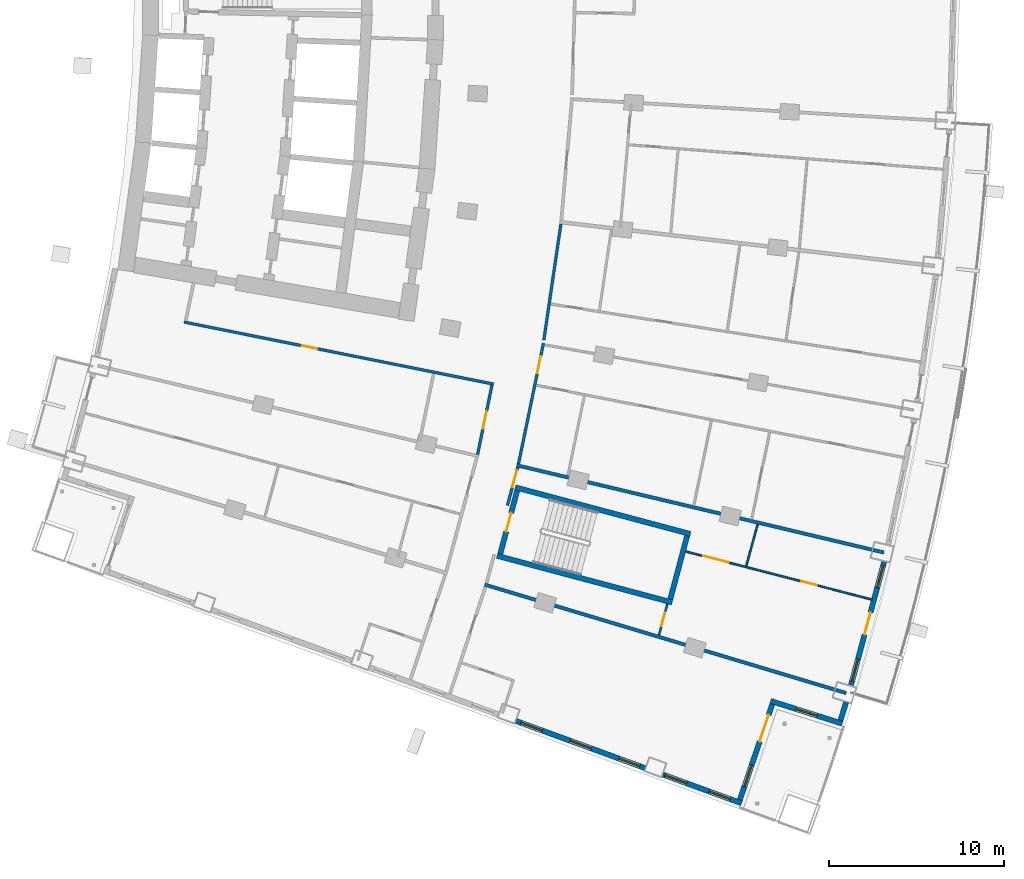
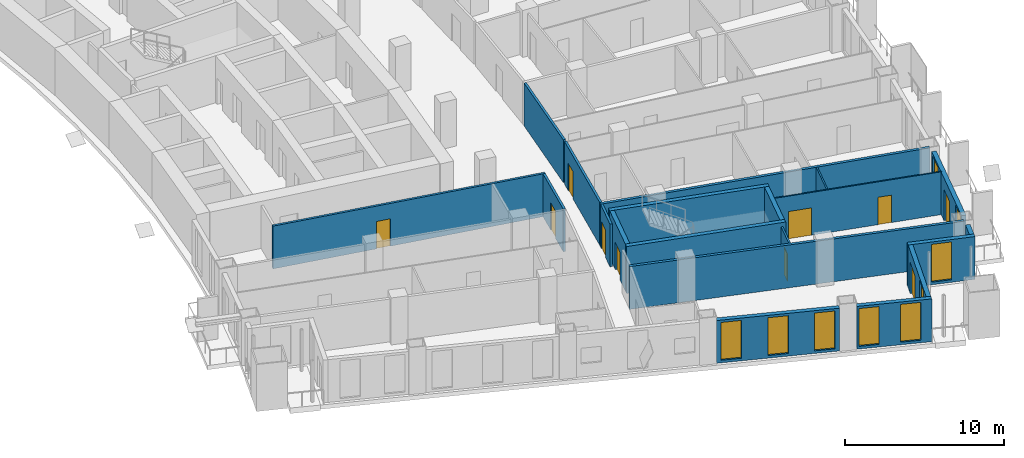
# One storey, part 14 of 25: 20 walls, 10 doors, 9 windows, 19 openings.
"""IFC4 building model written with IfcOpenShell, lengths in metres."""

from ifc_helpers import new_model, si_unit, direction, frame, frame_2d, origin, place, context, subcontext, project, spatial, rectangle, extrude, material, layer, layer_set, type_object, element, fill, save


model = new_model("IFC4")

# Units and contexts
model_context = context("Model", 3, precision=1e-05, world=origin(), true_north=direction((0.0, 1.0)))
body_context = subcontext(model_context, "Body", "Model", "MODEL_VIEW")
ifc_project = project(units=[si_unit("LENGTHUNIT", "METRE"), si_unit("AREAUNIT", "SQUARE_METRE"), si_unit("VOLUMEUNIT", "CUBIC_METRE"), si_unit("PLANEANGLEUNIT", "RADIAN"), si_unit("MASSUNIT", "GRAM", prefix="KILO")], contexts=[model_context])

# Site, building, storey
site_placement = place(None, origin())
site = spatial("IfcSite", under=ifc_project, at=site_placement, CompositionType="ELEMENT")
building_placement = place(site_placement, origin())
building = spatial("IfcBuilding", under=site, at=building_placement, Name="Alderwake Tower", CompositionType="ELEMENT")
storey_placement = place(building_placement, frame((0.0, 0.0, 60.800048828125)))
storey = spatial("IfcBuildingStorey", under=building, at=storey_placement, Name="L14", CompositionType="ELEMENT", Elevation=60.800048828125)

# Walls
ifc_material_1 = material(Name="Concrete C70/85", Category="concrete")
ifc_layer_1 = layer(ifc_material_1, 0.300048828125)
ifc_layer_set_1 = layer_set([ifc_layer_1], Name="Core wall stair enclosure 300 C70-85")
wall_type_1 = type_object("IfcWallType", Name="Core wall stair enclosure 300 C70-85", PredefinedType="SHEAR", material=ifc_layer_set_1)
for number, where, z_axis, x_axis, name in (
    (1, (37.75390625, 31.731201171875, 0.0), (0.0, 0.0, 1.0), (0.966309214305, -0.257383958996, 0.0), "Core wall CW.086"),
    (2, (36.71142578125, 27.817626953125, 0.0), (0.0, 0.0, 1.0), (0.966309214305, -0.257383958996, 0.0), "Core wall CW.088"),
):
    element("IfcWall", number, at=place(storey_placement, frame(where, z_axis=z_axis, x_axis=x_axis)), inside=storey, type_object=wall_type_1, Name=name, PredefinedType="SHEAR", context=body_context, shape_type="SweptSolid", body=[
        extrude(rectangle(XDim=10.360107421875, YDim=0.300048828125, at=frame_2d((5.18017578125, 0.0))), origin(), (0.0, 0.0, 1.0), 3.599853515625),
    ])

# Wall, opening, door
wall_1_placement = place(storey_placement, frame((36.89501953125, 27.923828125, 0.0), z_axis=(0.0, 0.0, 1.0), x_axis=(0.257350630826, 0.966318090907, 0.0)))
wall_1 = element("IfcWall", 3, at=wall_1_placement, inside=storey, type_object=wall_type_1, Name="Core wall CW.087", PredefinedType="SHEAR", context=body_context, shape_type="SweptSolid", body=[
    extrude(rectangle(XDim=3.75, YDim=0.300048828125, at=frame_2d((1.875, 0.0))), origin(), (0.0, 0.0, 1.0), 3.599853515625),
])
opening_1_placement = place(wall_1_placement, frame((1.324951171875, 0.0, 0.0)))
opening_1 = element("IfcOpeningElement", 4, at=opening_1_placement, cuts=wall_1, Name="Opening C065", PredefinedType="OPENING", context=body_context, shape_type="SweptSolid", body=[
    extrude(rectangle(XDim=1.10009765625, YDim=2.10009765625, at=frame_2d((0.550048828125, 1.050048828125))), frame((0.0, 0.159912109375, 0.0), z_axis=(0.0, -1.0, 0.0), x_axis=(1.0, 0.0, 0.0)), (0.0, 0.0, 1.0), 0.320068359375),
])
ifc_material_2 = material(Name="Steel-framed fire door leaf", Category="steel")
door_type_1 = type_object("IfcDoorType", Name="Core stair door 1100 fire-rated", OperationType="SINGLE_SWING_LEFT", PredefinedType="DOOR", material=ifc_material_2)
door_1_placement = place(opening_1_placement, origin())
door_1 = element("IfcDoor", 5, at=door_1_placement, inside=storey, type_object=door_type_1, Name="Stair door", OperationType="SINGLE_SWING_RIGHT", OverallHeight=2.10009765625, OverallWidth=1.10009765625, PredefinedType="DOOR", context=body_context, shape_type="SweptSolid", body=[
    extrude(rectangle(XDim=1.10009765625, YDim=2.10009765625, at=frame_2d((0.550048828125, 1.050048828125))), frame((0.0, 0.02490234375, 0.0), z_axis=(0.0, -1.0, 0.0), x_axis=(1.0, 0.0, 0.0)), (0.0, 0.0, 1.0), 0.050048828125),
])
fill(opening_1, door_1)

# Wall
wall_2_placement = place(storey_placement, frame((46.6162109375, 25.334716796875, 0.0), z_axis=(0.0, 0.0, 1.0), x_axis=(0.257366821694, 0.966313778796, 0.0)))
element("IfcWall", 6, at=wall_2_placement, inside=storey, type_object=wall_type_1, Name="Core wall CW.085", PredefinedType="SHEAR", context=body_context, shape_type="SweptSolid", body=[
    extrude(rectangle(XDim=3.749755859375, YDim=0.300048828125, at=frame_2d((1.875, 0.0))), origin(), (0.0, 0.0, 1.0), 3.599853515625),
])

# Wall, opening, door
ifc_material_3 = material(Name="Gypsum board on metal studs, rated")
ifc_layer_2 = layer(ifc_material_3, 0.159912109375)
ifc_layer_set_2 = layer_set([ifc_layer_2], Name="Corridor wall 160")
wall_type_2 = type_object("IfcWallType", Name="Corridor wall 160", PredefinedType="PARTITIONING", material=ifc_layer_set_2)
wall_3_placement = place(storey_placement, frame((36.513427734375, 37.63427734375, 0.0), z_axis=(0.0, 0.0, 1.0), x_axis=(-0.980470254867, 0.1966674333, 0.0)))
wall_3 = element("IfcWall", 7, at=wall_3_placement, inside=storey, type_object=wall_type_2, Name="WL/L14/W14", PredefinedType="PARTITIONING", context=body_context, shape_type="SweptSolid", body=[
    extrude(rectangle(XDim=18.053466796875, YDim=0.159912109375, at=frame_2d((9.02685546875, 0.0))), origin(), (0.0, 0.0, 1.0), 3.280029296875),
])
opening_2_placement = place(wall_3_placement, frame((10.277099609375, 0.0, 0.0)))
opening_2 = element("IfcOpeningElement", 8, at=opening_2_placement, cuts=wall_3, Name="Opening R03-SBS1", PredefinedType="OPENING", context=body_context, shape_type="SweptSolid", body=[
    extrude(rectangle(XDim=0.89990234375, YDim=2.10009765625, at=frame_2d((0.449951171875, 1.050048828125))), frame((0.0, 0.08984375, 0.0), z_axis=(0.0, -1.0, 0.0), x_axis=(1.0, 0.0, 0.0)), (0.0, 0.0, 1.0), 0.179931640625),
])
ifc_material_4 = material(Name="Painted timber leaf", Category="wood")
door_type_2 = type_object("IfcDoorType", Name="Room door 900", OperationType="SINGLE_SWING_LEFT", PredefinedType="DOOR", material=ifc_material_4)
door_2_placement = place(opening_2_placement, origin())
door_2 = element("IfcDoor", 9, at=door_2_placement, inside=storey, type_object=door_type_2, Name="DR/L14/SBS1", OperationType="SINGLE_SWING_LEFT", OverallHeight=2.10009765625, OverallWidth=0.89990234375, PredefinedType="DOOR", context=body_context, shape_type="SweptSolid", body=[
    extrude(rectangle(XDim=0.89990234375, YDim=2.10009765625, at=frame_2d((0.449951171875, 1.050048828125))), frame((0.0, 0.02490234375, 0.0), z_axis=(0.0, -1.0, 0.0), x_axis=(1.0, 0.0, 0.0)), (0.0, 0.0, 1.0), 0.050048828125),
])
fill(opening_2, door_2)

wall_4_placement = place(storey_placement, frame((35.59619140625, 33.609375, 0.0), z_axis=(0.0, 0.0, 1.0), x_axis=(0.203245920818, 0.979127721838, 0.0)))
wall_4 = element("IfcWall", 10, at=wall_4_placement, inside=storey, type_object=wall_type_2, Name="WL/L14/W26", PredefinedType="PARTITIONING", context=body_context, shape_type="SweptSolid", body=[
    extrude(rectangle(XDim=4.046875, YDim=0.159912109375, at=frame_2d((2.0234375, 0.0))), origin(), (0.0, 0.0, 1.0), 3.280029296875),
])
opening_3_placement = place(wall_4_placement, frame((1.5234375, 0.0, 0.0)))
opening_3 = element("IfcOpeningElement", 11, at=opening_3_placement, cuts=wall_4, Name="Opening R03-SBS2", PredefinedType="OPENING", context=body_context, shape_type="SweptSolid", body=[
    extrude(rectangle(XDim=1.0, YDim=2.10009765625, at=frame_2d((0.5, 1.050048828125))), frame((0.0, 0.08984375, 0.0), z_axis=(0.0, -1.0, 0.0), x_axis=(1.0, 0.0, 0.0)), (0.0, 0.0, 1.0), 0.179931640625),
])
ifc_material_5 = material(Name="Steel-framed fire door leaf", Category="steel")
door_type_3 = type_object("IfcDoorType", Name="Plant room door 1000 fire-rated", OperationType="SINGLE_SWING_LEFT", PredefinedType="DOOR", material=ifc_material_5)
door_3_placement = place(opening_3_placement, origin())
door_3 = element("IfcDoor", 12, at=door_3_placement, inside=storey, type_object=door_type_3, Name="DR/L14/SBS2", OperationType="SINGLE_SWING_LEFT", OverallHeight=2.10009765625, OverallWidth=1.0, PredefinedType="DOOR", context=body_context, shape_type="SweptSolid", body=[
    extrude(rectangle(XDim=1.0, YDim=2.10009765625, at=frame_2d((0.5, 1.050048828125))), frame((0.0, 0.02490234375, 0.0), z_axis=(0.0, -1.0, 0.0), x_axis=(1.0, 0.0, 0.0)), (0.0, 0.0, 1.0), 0.050048828125),
])
fill(opening_3, door_3)

wall_5_placement = place(storey_placement, frame((37.89111328125, 32.87939453125, 0.0), z_axis=(0.0, 0.0, 1.0), x_axis=(-0.259620578816, -0.965710699462, 0.0)))
wall_5 = element("IfcWall", 13, at=wall_5_placement, inside=storey, type_object=wall_type_2, Name="WL/L14/W29", PredefinedType="PARTITIONING", context=body_context, shape_type="SweptSolid", body=[
    extrude(rectangle(XDim=2.2578125, YDim=0.159912109375, at=frame_2d((1.12890625, 0.0))), origin(), (0.0, 0.0, 1.0), 3.280029296875),
])
opening_4_placement = place(wall_5_placement, frame((0.1708984375, 0.0, 0.0)))
opening_4 = element("IfcOpeningElement", 14, at=opening_4_placement, cuts=wall_5, Name="Opening R03-U01.1", PredefinedType="OPENING", context=body_context, shape_type="SweptSolid", body=[
    extrude(rectangle(XDim=1.0, YDim=2.10009765625, at=frame_2d((0.5, 1.050048828125))), frame((0.0, 0.08984375, 0.0), z_axis=(0.0, -1.0, 0.0), x_axis=(1.0, 0.0, 0.0)), (0.0, 0.0, 1.0), 0.179931640625),
])
ifc_material_6 = material(Name="Solid timber leaf in steel frame", Category="steel")
door_type_4 = type_object("IfcDoorType", Name="Flat entrance door 1000 fire-rated", OperationType="SINGLE_SWING_LEFT", PredefinedType="DOOR", material=ifc_material_6)
door_4_placement = place(opening_4_placement, origin())
door_4 = element("IfcDoor", 15, at=door_4_placement, inside=storey, type_object=door_type_4, Name="DR/L14/U01.1", OperationType="SINGLE_SWING_LEFT", OverallHeight=2.10009765625, OverallWidth=1.0, PredefinedType="DOOR", context=body_context, shape_type="SweptSolid", body=[
    extrude(rectangle(XDim=1.0, YDim=2.10009765625, at=frame_2d((0.5, 1.050048828125))), frame((0.0, 0.02490234375, 0.0), z_axis=(0.0, -1.0, 0.0), x_axis=(1.0, 0.0, 0.0)), (0.0, 0.0, 1.0), 0.050048828125),
])
fill(opening_4, door_4)

wall_6_placement = place(storey_placement, frame((39.3642578125, 39.975341796875, 0.0), z_axis=(0.0, 0.0, 1.0), x_axis=(-0.202487611378, -0.979284824368, 0.0)))
wall_6 = element("IfcWall", 16, at=wall_6_placement, inside=storey, type_object=wall_type_2, Name="WL/L14/W30", PredefinedType="PARTITIONING", context=body_context, shape_type="SweptSolid", body=[
    extrude(rectangle(XDim=7.04736328125, YDim=0.159912109375, at=frame_2d((3.523681640625, 0.0))), origin(), (0.0, 0.0, 1.0), 3.280029296875),
])
opening_5_placement = place(wall_6_placement, frame((0.7568359375, 0.0, 0.0)))
opening_5 = element("IfcOpeningElement", 17, at=opening_5_placement, cuts=wall_6, Name="Opening R03-U05.3", PredefinedType="OPENING", context=body_context, shape_type="SweptSolid", body=[
    extrude(rectangle(XDim=1.0, YDim=2.10009765625, at=frame_2d((0.5, 1.050048828125))), frame((0.0, 0.08984375, 0.0), z_axis=(0.0, -1.0, 0.0), x_axis=(1.0, 0.0, 0.0)), (0.0, 0.0, 1.0), 0.179931640625),
])
door_5_placement = place(opening_5_placement, origin())
door_5 = element("IfcDoor", 18, at=door_5_placement, inside=storey, type_object=door_type_4, Name="DR/L14/U05.3", OperationType="SINGLE_SWING_LEFT", OverallHeight=2.10009765625, OverallWidth=1.0, PredefinedType="DOOR", context=body_context, shape_type="SweptSolid", body=[
    extrude(rectangle(XDim=1.0, YDim=2.10009765625, at=frame_2d((0.5, 1.050048828125))), frame((0.0, 0.02490234375, 0.0), z_axis=(0.0, -1.0, 0.0), x_axis=(1.0, 0.0, 0.0)), (0.0, 0.0, 1.0), 0.050048828125),
])
fill(opening_5, door_5)

# Walls
wall_7_placement = place(storey_placement, frame((39.38671875, 40.160888671875, 0.0), z_axis=(0.0, 0.0, 1.0), x_axis=(0.145513909196, 0.989356205939, 0.0)))
element("IfcWall", 19, at=wall_7_placement, inside=storey, type_object=wall_type_2, Name="WL/L14/W32", PredefinedType="PARTITIONING", context=body_context, shape_type="SweptSolid", body=[
    extrude(rectangle(XDim=6.704345703125, YDim=0.159912109375, at=frame_2d((3.35205078125, 0.0))), origin(), (0.0, 0.0, 1.0), 3.280029296875),
])
ifc_material_7 = material(Name="Precast concrete C50/60 spandrel panel", Category="concrete")
ifc_layer_3 = layer(ifc_material_7, 0.300048828125)
ifc_layer_set_3 = layer_set([ifc_layer_3], Name="External wall EW1 Precast concrete C50/60 spandrel")
wall_type_3 = type_object("IfcWallType", Name="External wall EW1 Precast concrete C50/60 spandrel", PredefinedType="SOLIDWALL", material=ifc_layer_set_3)
wall_8_placement = place(storey_placement, frame((56.3505859375, 18.41064453125, 0.0), z_axis=(0.0, 0.0, 1.0), x_axis=(0.294452184736, 0.955666213123, 0.0)))
element("IfcWall", 20, at=wall_8_placement, inside=storey, type_object=wall_type_3, Name="External wall 11", PredefinedType="SOLIDWALL", context=body_context, shape_type="SweptSolid", body=[
    extrude(rectangle(XDim=1.0771484375, YDim=0.300048828125, at=frame_2d((0.53857421875, 0.0))), origin(), (0.0, 0.0, 1.0), 3.280029296875),
])

# Wall, openings, door, windows
wall_9_placement = place(storey_placement, frame((56.952880859375, 20.43017578125, 0.0), z_axis=(0.0, 0.0, 1.0), x_axis=(0.259504577704, 0.9657418776, 0.0)))
wall_9 = element("IfcWall", 21, at=wall_9_placement, inside=storey, type_object=wall_type_3, Name="External wall 12", PredefinedType="SOLIDWALL", context=body_context, shape_type="SweptSolid", body=[
    extrude(rectangle(XDim=7.28271484375, YDim=0.300048828125, at=frame_2d((3.641357421875, 0.0))), origin(), (0.0, 0.0, 1.0), 3.280029296875),
])
opening_6_placement = place(wall_9_placement, frame((0.218994140625, 0.0, 0.199951171875)))
opening_6 = element("IfcOpeningElement", 22, at=opening_6_placement, cuts=wall_9, Name="Opening W1", PredefinedType="OPENING", context=body_context, shape_type="SweptSolid", body=[
    extrude(rectangle(XDim=1.300048828125, YDim=2.89990234375, at=frame_2d((0.64990234375, 1.449951171875))), frame((0.0, 0.159912109375, 0.0), z_axis=(0.0, -1.0, 0.0), x_axis=(1.0, 0.0, 0.0)), (0.0, 0.0, 1.0), 0.320068359375),
])
opening_7_placement = place(wall_9_placement, frame((2.9912109375, 0.0, 0.0)))
opening_7 = element("IfcOpeningElement", 23, at=opening_7_placement, cuts=wall_9, Name="Opening D03", PredefinedType="OPENING", context=body_context, shape_type="SweptSolid", body=[
    extrude(rectangle(XDim=1.300048828125, YDim=2.39990234375, at=frame_2d((0.64990234375, 1.199951171875))), frame((0.0, 0.159912109375, 0.0), z_axis=(0.0, -1.0, 0.0), x_axis=(1.0, 0.0, 0.0)), (0.0, 0.0, 1.0), 0.320068359375),
])
opening_8_placement = place(wall_9_placement, frame((5.763671875, 0.0, 0.199951171875)))
opening_8 = element("IfcOpeningElement", 24, at=opening_8_placement, cuts=wall_9, Name="Opening W1", PredefinedType="OPENING", context=body_context, shape_type="SweptSolid", body=[
    extrude(rectangle(XDim=1.300048828125, YDim=2.89990234375, at=frame_2d((0.64990234375, 1.449951171875))), frame((0.0, 0.159912109375, 0.0), z_axis=(0.0, -1.0, 0.0), x_axis=(1.0, 0.0, 0.0)), (0.0, 0.0, 1.0), 0.320068359375),
])
ifc_material_8 = material(Name="Bronze tinted glass in aluminium frame", Category="aluminium")
door_type_5 = type_object("IfcDoorType", Name="Balcony door BD sliding", OperationType="SLIDING_TO_LEFT", PredefinedType="DOOR", material=ifc_material_8)
door_6_placement = place(opening_7_placement, origin())
door_6 = element("IfcDoor", 25, at=door_6_placement, inside=storey, type_object=door_type_5, Name="Door D03", OperationType="SLIDING_TO_LEFT", OverallHeight=2.39990234375, OverallWidth=1.300048828125, PredefinedType="DOOR", context=body_context, shape_type="SweptSolid", body=[
    extrude(rectangle(XDim=1.300048828125, YDim=2.39990234375, at=frame_2d((0.64990234375, 1.199951171875))), frame((0.0, 0.02490234375, 0.0), z_axis=(0.0, -1.0, 0.0), x_axis=(1.0, 0.0, 0.0)), (0.0, 0.0, 1.0), 0.050048828125),
])
fill(opening_7, door_6)
ifc_material_9 = material(Name="Bronze tinted glass in aluminium frame", Category="aluminium")
window_type = type_object("IfcWindowType", Name="Window W1 tall fixed and vent", PartitioningType="DOUBLE_PANEL_VERTICAL", PredefinedType="WINDOW", material=ifc_material_9)
window_1_placement = place(opening_6_placement, origin())
window_1 = element("IfcWindow", 26, at=window_1_placement, inside=storey, type_object=window_type, Name="Window W1 tall fixed and vent", OverallHeight=2.89990234375, OverallWidth=1.300048828125, PartitioningType="DOUBLE_PANEL_VERTICAL", PredefinedType="WINDOW", context=body_context, shape_type="SweptSolid", body=[
    extrude(rectangle(XDim=1.300048828125, YDim=2.89990234375, at=frame_2d((0.64990234375, 1.449951171875))), frame((0.0, 0.030029296875, 0.0), z_axis=(0.0, -1.0, 0.0), x_axis=(1.0, 0.0, 0.0)), (0.0, 0.0, 1.0), 0.06005859375),
])
fill(opening_6, window_1)
window_2_placement = place(opening_8_placement, origin())
window_2 = element("IfcWindow", 27, at=window_2_placement, inside=storey, type_object=window_type, Name="Window W1 tall fixed and vent", OverallHeight=2.89990234375, OverallWidth=1.300048828125, PartitioningType="DOUBLE_PANEL_VERTICAL", PredefinedType="WINDOW", context=body_context, shape_type="SweptSolid", body=[
    extrude(rectangle(XDim=1.300048828125, YDim=2.89990234375, at=frame_2d((0.64990234375, 1.449951171875))), frame((0.0, 0.030029296875, 0.0), z_axis=(0.0, -1.0, 0.0), x_axis=(1.0, 0.0, 0.0)), (0.0, 0.0, 1.0), 0.06005859375),
])
fill(opening_8, window_2)

# Wall, openings, windows
ifc_material_10 = material(Name="Bronze metal cladding on lightweight framing")
ifc_layer_4 = layer(ifc_material_10, 0.300048828125)
ifc_layer_set_4 = layer_set([ifc_layer_4], Name="External wall EW2 bronze metal cladding")
wall_type_4 = type_object("IfcWallType", Name="External wall EW2 bronze metal cladding", PredefinedType="SOLIDWALL", material=ifc_layer_set_4)
wall_10_placement = place(storey_placement, frame((37.808349609375, 18.369140625, 0.0), z_axis=(0.0, 0.0, 1.0), x_axis=(0.939377568192, -0.342884505887, 0.0)))
wall_10 = element("IfcWall", 28, at=wall_10_placement, inside=storey, type_object=wall_type_4, Name="External wall 7", PredefinedType="SOLIDWALL", context=body_context, shape_type="SweptSolid", body=[
    extrude(rectangle(XDim=7.829345703125, YDim=0.300048828125, at=frame_2d((3.91455078125, 0.0))), origin(), (0.0, 0.0, 1.0), 3.280029296875),
])
opening_9_placement = place(wall_10_placement, frame((0.286865234375, 0.0, 0.199951171875)))
opening_9 = element("IfcOpeningElement", 29, at=opening_9_placement, cuts=wall_10, Name="Opening W1", PredefinedType="OPENING", context=body_context, shape_type="SweptSolid", body=[
    extrude(rectangle(XDim=1.300048828125, YDim=2.89990234375, at=frame_2d((0.64990234375, 1.449951171875))), frame((0.0, 0.159912109375, 0.0), z_axis=(0.0, -1.0, 0.0), x_axis=(1.0, 0.0, 0.0)), (0.0, 0.0, 1.0), 0.320068359375),
])
opening_10_placement = place(wall_10_placement, frame((3.2646484375, 0.0, 0.199951171875)))
opening_10 = element("IfcOpeningElement", 30, at=opening_10_placement, cuts=wall_10, Name="Opening W1", PredefinedType="OPENING", context=body_context, shape_type="SweptSolid", body=[
    extrude(rectangle(XDim=1.300048828125, YDim=2.89990234375, at=frame_2d((0.64990234375, 1.449951171875))), frame((0.0, 0.159912109375, 0.0), z_axis=(0.0, -1.0, 0.0), x_axis=(1.0, 0.0, 0.0)), (0.0, 0.0, 1.0), 0.320068359375),
])
opening_11_placement = place(wall_10_placement, frame((6.242431640625, 0.0, 0.199951171875)))
opening_11 = element("IfcOpeningElement", 31, at=opening_11_placement, cuts=wall_10, Name="Opening W1", PredefinedType="OPENING", context=body_context, shape_type="SweptSolid", body=[
    extrude(rectangle(XDim=1.300048828125, YDim=2.89990234375, at=frame_2d((0.64990234375, 1.449951171875))), frame((0.0, 0.159912109375, 0.0), z_axis=(0.0, -1.0, 0.0), x_axis=(1.0, 0.0, 0.0)), (0.0, 0.0, 1.0), 0.320068359375),
])
window_3_placement = place(opening_9_placement, origin())
window_3 = element("IfcWindow", 32, at=window_3_placement, inside=storey, type_object=window_type, Name="Window W1 tall fixed and vent", OverallHeight=2.89990234375, OverallWidth=1.300048828125, PartitioningType="DOUBLE_PANEL_VERTICAL", PredefinedType="WINDOW", context=body_context, shape_type="SweptSolid", body=[
    extrude(rectangle(XDim=1.300048828125, YDim=2.89990234375, at=frame_2d((0.64990234375, 1.449951171875))), frame((0.0, 0.030029296875, 0.0), z_axis=(0.0, -1.0, 0.0), x_axis=(1.0, 0.0, 0.0)), (0.0, 0.0, 1.0), 0.06005859375),
])
fill(opening_9, window_3)
window_4_placement = place(opening_10_placement, origin())
window_4 = element("IfcWindow", 33, at=window_4_placement, inside=storey, type_object=window_type, Name="Window W1 tall fixed and vent", OverallHeight=2.89990234375, OverallWidth=1.300048828125, PartitioningType="DOUBLE_PANEL_VERTICAL", PredefinedType="WINDOW", context=body_context, shape_type="SweptSolid", body=[
    extrude(rectangle(XDim=1.300048828125, YDim=2.89990234375, at=frame_2d((0.64990234375, 1.449951171875))), frame((0.0, 0.030029296875, 0.0), z_axis=(0.0, -1.0, 0.0), x_axis=(1.0, 0.0, 0.0)), (0.0, 0.0, 1.0), 0.06005859375),
])
fill(opening_10, window_4)
window_5_placement = place(opening_11_placement, origin())
window_5 = element("IfcWindow", 34, at=window_5_placement, inside=storey, type_object=window_type, Name="Window W1 tall fixed and vent", OverallHeight=2.89990234375, OverallWidth=1.300048828125, PartitioningType="DOUBLE_PANEL_VERTICAL", PredefinedType="WINDOW", context=body_context, shape_type="SweptSolid", body=[
    extrude(rectangle(XDim=1.300048828125, YDim=2.89990234375, at=frame_2d((0.64990234375, 1.449951171875))), frame((0.0, 0.030029296875, 0.0), z_axis=(0.0, -1.0, 0.0), x_axis=(1.0, 0.0, 0.0)), (0.0, 0.0, 1.0), 0.06005859375),
])
fill(opening_11, window_5)

wall_11_placement = place(storey_placement, frame((46.2001953125, 15.305908203125, 0.0), z_axis=(0.0, 0.0, 1.0), x_axis=(0.939381087799, -0.342874863304, 0.0)))
wall_11 = element("IfcWall", 35, at=wall_11_placement, inside=storey, type_object=wall_type_4, Name="External wall 8", PredefinedType="SOLIDWALL", context=body_context, shape_type="SweptSolid", body=[
    extrude(rectangle(XDim=4.779296875, YDim=0.300048828125, at=frame_2d((2.3896484375, 0.0))), origin(), (0.0, 0.0, 1.0), 3.280029296875),
])
opening_12_placement = place(wall_11_placement, frame((0.130859375, 0.0, 0.199951171875)))
opening_12 = element("IfcOpeningElement", 36, at=opening_12_placement, cuts=wall_11, Name="Opening W1", PredefinedType="OPENING", context=body_context, shape_type="SweptSolid", body=[
    extrude(rectangle(XDim=1.300048828125, YDim=2.89990234375, at=frame_2d((0.64990234375, 1.449951171875))), frame((0.0, 0.159912109375, 0.0), z_axis=(0.0, -1.0, 0.0), x_axis=(1.0, 0.0, 0.0)), (0.0, 0.0, 1.0), 0.320068359375),
])
opening_13_placement = place(wall_11_placement, frame((2.79638671875, 0.0, 0.199951171875)))
opening_13 = element("IfcOpeningElement", 37, at=opening_13_placement, cuts=wall_11, Name="Opening W1", PredefinedType="OPENING", context=body_context, shape_type="SweptSolid", body=[
    extrude(rectangle(XDim=1.300048828125, YDim=2.89990234375, at=frame_2d((0.64990234375, 1.449951171875))), frame((0.0, 0.159912109375, 0.0), z_axis=(0.0, -1.0, 0.0), x_axis=(1.0, 0.0, 0.0)), (0.0, 0.0, 1.0), 0.320068359375),
])
window_6_placement = place(opening_12_placement, origin())
window_6 = element("IfcWindow", 38, at=window_6_placement, inside=storey, type_object=window_type, Name="Window W1 tall fixed and vent", OverallHeight=2.89990234375, OverallWidth=1.300048828125, PartitioningType="DOUBLE_PANEL_VERTICAL", PredefinedType="WINDOW", context=body_context, shape_type="SweptSolid", body=[
    extrude(rectangle(XDim=1.300048828125, YDim=2.89990234375, at=frame_2d((0.64990234375, 1.449951171875))), frame((0.0, 0.030029296875, 0.0), z_axis=(0.0, -1.0, 0.0), x_axis=(1.0, 0.0, 0.0)), (0.0, 0.0, 1.0), 0.06005859375),
])
fill(opening_12, window_6)
window_7_placement = place(opening_13_placement, origin())
window_7 = element("IfcWindow", 39, at=window_7_placement, inside=storey, type_object=window_type, Name="Window W1 tall fixed and vent", OverallHeight=2.89990234375, OverallWidth=1.300048828125, PartitioningType="DOUBLE_PANEL_VERTICAL", PredefinedType="WINDOW", context=body_context, shape_type="SweptSolid", body=[
    extrude(rectangle(XDim=1.300048828125, YDim=2.89990234375, at=frame_2d((0.64990234375, 1.449951171875))), frame((0.0, 0.030029296875, 0.0), z_axis=(0.0, -1.0, 0.0), x_axis=(1.0, 0.0, 0.0)), (0.0, 0.0, 1.0), 0.06005859375),
])
fill(opening_13, window_7)

# Wall, openings, door, window
wall_12_placement = place(storey_placement, frame((50.596923828125, 13.860595703125, 0.0), z_axis=(0.0, 0.0, 1.0), x_axis=(0.320866373694, 0.947124474519, 0.0)))
wall_12 = element("IfcWall", 40, at=wall_12_placement, inside=storey, type_object=wall_type_4, Name="External wall 9", PredefinedType="SOLIDWALL", context=body_context, shape_type="SweptSolid", body=[
    extrude(rectangle(XDim=5.7744140625, YDim=0.300048828125, at=frame_2d((2.88720703125, 0.0))), origin(), (0.0, 0.0, 1.0), 3.280029296875),
])
opening_14_placement = place(wall_12_placement, frame((0.79345703125, 0.0, 0.199951171875)))
opening_14 = element("IfcOpeningElement", 41, at=opening_14_placement, cuts=wall_12, Name="Opening W1", PredefinedType="OPENING", context=body_context, shape_type="SweptSolid", body=[
    extrude(rectangle(XDim=1.300048828125, YDim=2.89990234375, at=frame_2d((0.64990234375, 1.449951171875))), frame((0.0, 0.159912109375, 0.0), z_axis=(0.0, -1.0, 0.0), x_axis=(1.0, 0.0, 0.0)), (0.0, 0.0, 1.0), 0.320068359375),
])
opening_15_placement = place(wall_12_placement, frame((3.530517578125, 0.0, 0.0)))
opening_15 = element("IfcOpeningElement", 42, at=opening_15_placement, cuts=wall_12, Name="Opening D02", PredefinedType="OPENING", context=body_context, shape_type="SweptSolid", body=[
    extrude(rectangle(XDim=1.60009765625, YDim=2.39990234375, at=frame_2d((0.800048828125, 1.199951171875))), frame((0.0, 0.159912109375, 0.0), z_axis=(0.0, -1.0, 0.0), x_axis=(1.0, 0.0, 0.0)), (0.0, 0.0, 1.0), 0.320068359375),
])
ifc_material_11 = material(Name="Bronze tinted glass in aluminium frame", Category="aluminium")
door_type_6 = type_object("IfcDoorType", Name="Terrace door TD sliding", OperationType="SLIDING_TO_LEFT", PredefinedType="DOOR", material=ifc_material_11)
door_7_placement = place(opening_15_placement, origin())
door_7 = element("IfcDoor", 43, at=door_7_placement, inside=storey, type_object=door_type_6, Name="Door D02", OperationType="SLIDING_TO_LEFT", OverallHeight=2.39990234375, OverallWidth=1.60009765625, PredefinedType="DOOR", context=body_context, shape_type="SweptSolid", body=[
    extrude(rectangle(XDim=1.60009765625, YDim=2.39990234375, at=frame_2d((0.800048828125, 1.199951171875))), frame((0.0, 0.02490234375, 0.0), z_axis=(0.0, -1.0, 0.0), x_axis=(1.0, 0.0, 0.0)), (0.0, 0.0, 1.0), 0.050048828125),
])
fill(opening_15, door_7)
window_8_placement = place(opening_14_placement, origin())
window_8 = element("IfcWindow", 44, at=window_8_placement, inside=storey, type_object=window_type, Name="Window W1 tall fixed and vent", OverallHeight=2.89990234375, OverallWidth=1.300048828125, PartitioningType="DOUBLE_PANEL_VERTICAL", PredefinedType="WINDOW", context=body_context, shape_type="SweptSolid", body=[
    extrude(rectangle(XDim=1.300048828125, YDim=2.89990234375, at=frame_2d((0.64990234375, 1.449951171875))), frame((0.0, 0.030029296875, 0.0), z_axis=(0.0, -1.0, 0.0), x_axis=(1.0, 0.0, 0.0)), (0.0, 0.0, 1.0), 0.06005859375),
])
fill(opening_14, window_8)

# Wall, opening, window
wall_13_placement = place(storey_placement, frame((52.35498046875, 19.516845703125, 0.0), z_axis=(0.0, 0.0, 1.0), x_axis=(0.953470039543, -0.301487783656, 0.0)))
wall_13 = element("IfcWall", 45, at=wall_13_placement, inside=storey, type_object=wall_type_4, Name="External wall 10", PredefinedType="SOLIDWALL", context=body_context, shape_type="SweptSolid", body=[
    extrude(rectangle(XDim=4.294189453125, YDim=0.300048828125, at=frame_2d((2.14697265625, 0.0))), origin(), (0.0, 0.0, 1.0), 3.280029296875),
])
opening_16_placement = place(wall_13_placement, frame((1.4970703125, 0.0, 0.199951171875)))
opening_16 = element("IfcOpeningElement", 46, at=opening_16_placement, cuts=wall_13, Name="Opening W1", PredefinedType="OPENING", context=body_context, shape_type="SweptSolid", body=[
    extrude(rectangle(XDim=1.300048828125, YDim=2.89990234375, at=frame_2d((0.64990234375, 1.449951171875))), frame((0.0, 0.159912109375, 0.0), z_axis=(0.0, -1.0, 0.0), x_axis=(1.0, 0.0, 0.0)), (0.0, 0.0, 1.0), 0.320068359375),
])
window_9_placement = place(opening_16_placement, origin())
window_9 = element("IfcWindow", 47, at=window_9_placement, inside=storey, type_object=window_type, Name="Window W1 tall fixed and vent", OverallHeight=2.89990234375, OverallWidth=1.300048828125, PartitioningType="DOUBLE_PANEL_VERTICAL", PredefinedType="WINDOW", context=body_context, shape_type="SweptSolid", body=[
    extrude(rectangle(XDim=1.300048828125, YDim=2.89990234375, at=frame_2d((0.64990234375, 1.449951171875))), frame((0.0, 0.030029296875, 0.0), z_axis=(0.0, -1.0, 0.0), x_axis=(1.0, 0.0, 0.0)), (0.0, 0.0, 1.0), 0.06005859375),
])
fill(opening_16, window_9)

# Walls
ifc_material_12 = material(Name="Dense block masonry wall", Category="masonry")
ifc_layer_5 = layer(ifc_material_12, 0.199951171875)
ifc_layer_set_5 = layer_set([ifc_layer_5], Name="Party wall 200")
wall_type_5 = type_object("IfcWallType", Name="Party wall 200", PredefinedType="SOLIDWALL", material=ifc_layer_set_5)
wall_14_placement = place(storey_placement, frame((36.00439453125, 26.1708984375, 0.0), z_axis=(0.0, 0.0, 1.0), x_axis=(0.957797321715, -0.287444412913, 0.0)))
element("IfcWall", 48, at=wall_14_placement, inside=storey, type_object=wall_type_5, Name="WL/L14/W03", PredefinedType="SOLIDWALL", context=body_context, shape_type="SweptSolid", body=[
    extrude(rectangle(XDim=21.579345703125, YDim=0.199951171875, at=frame_2d((10.78955078125, 0.0))), origin(), (0.0, 0.0, 1.0), 3.280029296875),
])
wall_15_placement = place(storey_placement, frame((37.839111328125, 32.994384765625, 0.0), z_axis=(0.0, 0.0, 1.0), x_axis=(0.972900578851, -0.23122383889, 0.0)))
element("IfcWall", 49, at=wall_15_placement, inside=storey, type_object=wall_type_5, Name="WL/L14/W04", PredefinedType="SOLIDWALL", context=body_context, shape_type="SweptSolid", body=[
    extrude(rectangle(XDim=21.57861328125, YDim=0.199951171875, at=frame_2d((10.789306640625, 0.0))), origin(), (0.0, 0.0, 1.0), 3.280029296875),
])

# Wall, openings, doors
ifc_material_13 = material(Name="Gypsum board on metal studs")
ifc_layer_6 = layer(ifc_material_13, 0.10009765625)
ifc_layer_set_6 = layer_set([ifc_layer_6], Name="Unit partition 100")
wall_type_6 = type_object("IfcWallType", Name="Unit partition 100", PredefinedType="PARTITIONING", material=ifc_layer_set_6)
wall_16_placement = place(storey_placement, frame((58.160888671875, 25.31396484375, 0.0), z_axis=(0.0, 0.0, 1.0), x_axis=(-0.968217943729, 0.250108003554, 0.0)))
wall_16 = element("IfcWall", 50, at=wall_16_placement, inside=storey, type_object=wall_type_6, Name="WL/L14/W75", PredefinedType="PARTITIONING", context=body_context, shape_type="SweptSolid", body=[
    extrude(rectangle(XDim=11.011962890625, YDim=0.10009765625, at=frame_2d((5.505859375, 0.0))), origin(), (0.0, 0.0, 1.0), 3.280029296875),
])
opening_17_placement = place(wall_16_placement, frame((8.47998046875, 0.0, 0.0)))
opening_17 = element("IfcOpeningElement", 51, at=opening_17_placement, cuts=wall_16, Name="Opening R03-U01.2", PredefinedType="OPENING", context=body_context, shape_type="SweptSolid", body=[
    extrude(rectangle(XDim=1.5, YDim=2.10009765625, at=frame_2d((0.75, 1.050048828125))), frame((0.0, 0.06005859375, 0.0), z_axis=(0.0, -1.0, 0.0), x_axis=(1.0, 0.0, 0.0)), (0.0, 0.0, 1.0), 0.1201171875),
])
opening_18_placement = place(wall_16_placement, frame((3.274169921875, 0.0, 0.0)))
opening_18 = element("IfcOpeningElement", 52, at=opening_18_placement, cuts=wall_16, Name="Opening R03-U01.3", PredefinedType="OPENING", context=body_context, shape_type="SweptSolid", body=[
    extrude(rectangle(XDim=0.89990234375, YDim=2.10009765625, at=frame_2d((0.449951171875, 1.050048828125))), frame((0.0, 0.06005859375, 0.0), z_axis=(0.0, -1.0, 0.0), x_axis=(1.0, 0.0, 0.0)), (0.0, 0.0, 1.0), 0.1201171875),
])
ifc_material_14 = material(Name="Painted timber leaves", Category="wood")
door_type_7 = type_object("IfcDoorType", Name="Double leaf door 1500", OperationType="DOUBLE_DOOR_SINGLE_SWING", PredefinedType="DOOR", material=ifc_material_14)
door_8_placement = place(opening_17_placement, origin())
door_8 = element("IfcDoor", 53, at=door_8_placement, inside=storey, type_object=door_type_7, Name="DR/L14/U01.2", OperationType="DOUBLE_DOOR_SINGLE_SWING", OverallHeight=2.10009765625, OverallWidth=1.5, PredefinedType="DOOR", context=body_context, shape_type="SweptSolid", body=[
    extrude(rectangle(XDim=1.5, YDim=2.10009765625, at=frame_2d((0.75, 1.050048828125))), frame((0.0, 0.02490234375, 0.0), z_axis=(0.0, -1.0, 0.0), x_axis=(1.0, 0.0, 0.0)), (0.0, 0.0, 1.0), 0.050048828125),
])
fill(opening_17, door_8)
door_9_placement = place(opening_18_placement, origin())
door_9 = element("IfcDoor", 54, at=door_9_placement, inside=storey, type_object=door_type_2, Name="DR/L14/U01.3", OperationType="SINGLE_SWING_LEFT", OverallHeight=2.10009765625, OverallWidth=0.89990234375, PredefinedType="DOOR", context=body_context, shape_type="SweptSolid", body=[
    extrude(rectangle(XDim=0.89990234375, YDim=2.10009765625, at=frame_2d((0.449951171875, 1.050048828125))), frame((0.0, 0.02490234375, 0.0), z_axis=(0.0, -1.0, 0.0), x_axis=(1.0, 0.0, 0.0)), (0.0, 0.0, 1.0), 0.050048828125),
])
fill(opening_18, door_9)

# Wall
wall_17_placement = place(storey_placement, frame((50.9619140625, 27.225341796875, 0.0), z_axis=(0.0, 0.0, 1.0), x_axis=(0.260249003849, 0.965541535096, 0.0)))
element("IfcWall", 55, at=wall_17_placement, inside=storey, type_object=wall_type_6, Name="WL/L14/W80", PredefinedType="PARTITIONING", context=body_context, shape_type="SweptSolid", body=[
    extrude(rectangle(XDim=2.478515625, YDim=0.10009765625, at=frame_2d((1.2392578125, 0.0))), origin(), (0.0, 0.0, 1.0), 3.280029296875),
])

# Wall, opening, door
ifc_material_15 = material(Name="Moisture resistant gypsum board on metal studs")
ifc_layer_7 = layer(ifc_material_15, 0.1201171875)
ifc_layer_set_7 = layer_set([ifc_layer_7], Name="Wet room partition 120")
wall_type_7 = type_object("IfcWallType", Name="Wet room partition 120", PredefinedType="PARTITIONING", material=ifc_layer_set_7)
wall_18_placement = place(storey_placement, frame((45.970947265625, 23.28369140625, 0.0), z_axis=(0.0, 0.0, 1.0), x_axis=(0.258764710752, 0.965940383497, 0.0)))
wall_18 = element("IfcWall", 56, at=wall_18_placement, inside=storey, type_object=wall_type_7, Name="WL/L14/W60", PredefinedType="PARTITIONING", context=body_context, shape_type="SweptSolid", body=[
    extrude(rectangle(XDim=1.847412109375, YDim=0.1201171875, at=frame_2d((0.923828125, 0.0))), origin(), (0.0, 0.0, 1.0), 3.280029296875),
])
opening_19_placement = place(wall_18_placement, frame((0.523681640625, 0.0, 0.0)))
opening_19 = element("IfcOpeningElement", 57, at=opening_19_placement, cuts=wall_18, Name="Opening R03-U01.4", PredefinedType="OPENING", context=body_context, shape_type="SweptSolid", body=[
    extrude(rectangle(XDim=0.800048828125, YDim=2.10009765625, at=frame_2d((0.39990234375, 1.050048828125))), frame((0.0, 0.070068359375, 0.0), z_axis=(0.0, -1.0, 0.0), x_axis=(1.0, 0.0, 0.0)), (0.0, 0.0, 1.0), 0.14013671875),
])
ifc_material_16 = material(Name="Painted timber leaf", Category="wood")
door_type_8 = type_object("IfcDoorType", Name="Bathroom door 800", OperationType="SINGLE_SWING_LEFT", PredefinedType="DOOR", material=ifc_material_16)
door_10_placement = place(opening_19_placement, origin())
door_10 = element("IfcDoor", 58, at=door_10_placement, inside=storey, type_object=door_type_8, Name="DR/L14/U01.4", OperationType="SINGLE_SWING_LEFT", OverallHeight=2.10009765625, OverallWidth=0.800048828125, PredefinedType="DOOR", context=body_context, shape_type="SweptSolid", body=[
    extrude(rectangle(XDim=0.800048828125, YDim=2.10009765625, at=frame_2d((0.39990234375, 1.050048828125))), frame((0.0, 0.02490234375, 0.0), z_axis=(0.0, -1.0, 0.0), x_axis=(1.0, 0.0, 0.0)), (0.0, 0.0, 1.0), 0.050048828125),
])
fill(opening_19, door_10)

save(model, "model.ifc")
